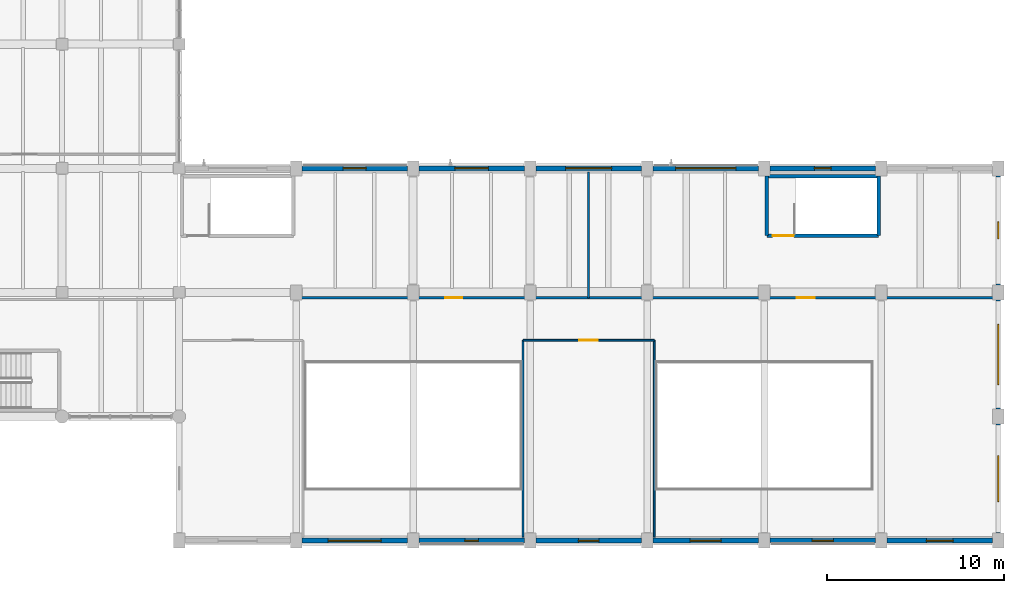
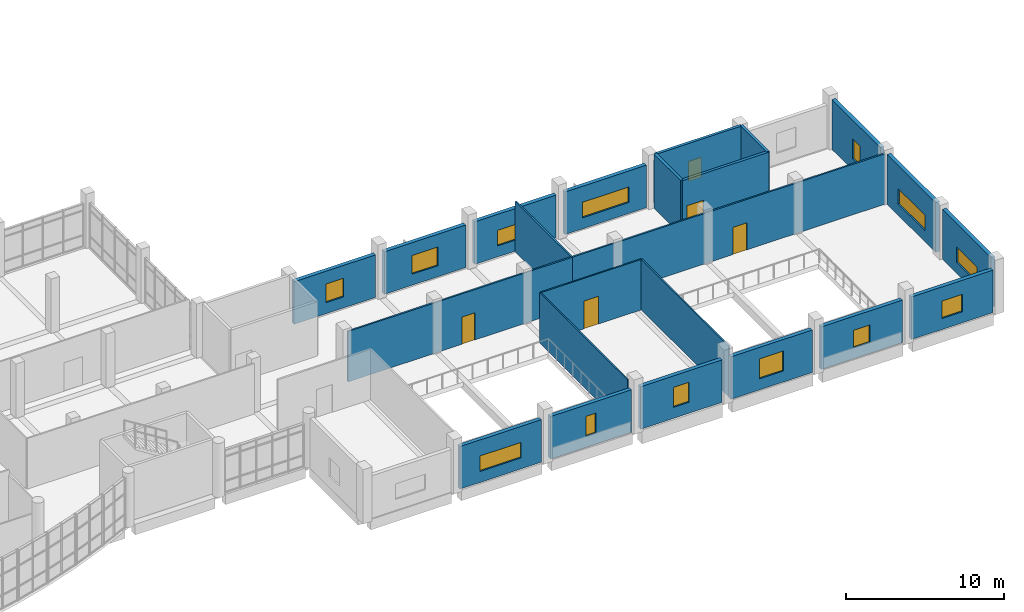
# One storey, part 51 of 68: 24 walls, 14 windows, 4 doors, 18 openings.
"""IFC4 building model written with IfcOpenShell, lengths in metres."""

from ifc_helpers import new_model, si_unit, direction, frame, frame_2d, origin, place, context, subcontext, project, spatial, rectangle, extrude, material, layer, layer_set, type_object, element, fill, save


model = new_model("IFC4")

# Units and contexts
model_context = context("Model", 3, precision=1e-05, world=origin(), true_north=direction((0.0, 1.0)))
body_context = subcontext(model_context, "Body", "Model", "MODEL_VIEW")
ifc_project = project(units=[si_unit("LENGTHUNIT", "METRE"), si_unit("AREAUNIT", "SQUARE_METRE"), si_unit("VOLUMEUNIT", "CUBIC_METRE"), si_unit("PLANEANGLEUNIT", "RADIAN"), si_unit("MASSUNIT", "GRAM", prefix="KILO")], contexts=[model_context])

# Site, building, storey
site_placement = place(None, origin())
site = spatial("IfcSite", under=ifc_project, at=site_placement, CompositionType="ELEMENT")
building_placement = place(site_placement, origin())
building = spatial("IfcBuilding", under=site, at=building_placement, Name="Ciguamira Faculty of Natural Sciences", CompositionType="ELEMENT")
storey_placement = place(building_placement, frame((0.0, 0.0, 4.199951171875)))
storey = spatial("IfcBuildingStorey", under=building, at=storey_placement, Name="L01", CompositionType="ELEMENT", Elevation=4.199951171875)

# Wall, opening, window
ifc_material_1 = material(Name="Precast concrete C40/50", Category="concrete")
ifc_layer_1 = layer(ifc_material_1, 0.280029296875, Name="Precast concrete C40/50")
ifc_layer_set_1 = layer_set([ifc_layer_1], Name="Precast concrete C40/50")
wall_type_1 = type_object("IfcWallType", Name="ExtWall_EW-01_280", PredefinedType="SOLIDWALL", material=ifc_layer_set_1)
wall_1_placement = place(storey_placement, frame((130.22509765625, 3.0, 0.0), z_axis=(0.0, 0.0, 1.0), x_axis=(1.0, 0.0, 0.0)))
wall_1 = element("IfcWall", 1, at=wall_1_placement, inside=storey, type_object=wall_type_1, Name="L01 exterior wall 0143", PredefinedType="SOLIDWALL", context=body_context, shape_type="SweptSolid", body=[
    extrude(rectangle(XDim=5.949951171875, YDim=0.280029296875, at=frame_2d((2.97509765625, 0.0))), origin(), (0.0, 0.0, 1.0), 3.28515625),
])
opening_1_placement = place(wall_1_placement, frame((1.47509765625, 0.0, 0.85009765625)))
opening_1 = element("IfcOpeningElement", 2, at=opening_1_placement, cuts=wall_1, Name="Opening WT-33", PredefinedType="OPENING", context=body_context, shape_type="SweptSolid", body=[
    extrude(rectangle(XDim=3.0, YDim=1.199951171875, at=frame_2d((1.5, 0.60009765625))), frame((0.0, 0.14990234375, 0.0), z_axis=(0.0, -1.0, 0.0), x_axis=(1.0, 0.0, 0.0)), (0.0, 0.0, 1.0), 0.300048828125),
])
ifc_material_2 = material(Name="Hurricane laminated solar glass", Category="glass")
window_type_1 = type_object("IfcWindowType", Name="Window_WT-33_3000x1200", PartitioningType="DOUBLE_PANEL_VERTICAL", PredefinedType="WINDOW", material=ifc_material_2)
window_1_placement = place(opening_1_placement, origin())
window_1 = element("IfcWindow", 3, at=window_1_placement, inside=storey, type_object=window_type_1, Name="L01 facade window 0059", OverallHeight=1.199951171875, OverallWidth=3.0, PartitioningType="SINGLE_PANEL", PredefinedType="WINDOW", context=body_context, shape_type="SweptSolid", body=[
    extrude(rectangle(XDim=3.0, YDim=1.199951171875, at=frame_2d((1.5, 0.60009765625))), frame((0.0, 0.030029296875, 0.0), z_axis=(0.0, -1.0, 0.0), x_axis=(1.0, 0.0, 0.0)), (0.0, 0.0, 1.0), 0.06005859375),
])
fill(opening_1, window_1)

wall_2_placement = place(storey_placement, frame((136.824951171875, 3.0, 0.0), z_axis=(0.0, 0.0, 1.0), x_axis=(1.0, 0.0, 0.0)))
wall_2 = element("IfcWall", 4, at=wall_2_placement, inside=storey, type_object=wall_type_1, Name="L01 exterior wall 0144", PredefinedType="SOLIDWALL", context=body_context, shape_type="SweptSolid", body=[
    extrude(rectangle(XDim=5.949951171875, YDim=0.280029296875, at=frame_2d((2.97509765625, 0.0))), origin(), (0.0, 0.0, 1.0), 3.28515625),
])
opening_2_placement = place(wall_2_placement, frame((2.60009765625, 0.0, 0.85009765625)))
opening_2 = element("IfcOpeningElement", 5, at=opening_2_placement, cuts=wall_2, Name="Opening WT-35", PredefinedType="OPENING", context=body_context, shape_type="SweptSolid", body=[
    extrude(rectangle(XDim=0.75, YDim=1.550048828125, at=frame_2d((0.375, 0.77490234375))), frame((0.0, 0.14990234375, 0.0), z_axis=(0.0, -1.0, 0.0), x_axis=(1.0, 0.0, 0.0)), (0.0, 0.0, 1.0), 0.300048828125),
])
window_type_2 = type_object("IfcWindowType", Name="Window_WT-35_750x1550", PartitioningType="DOUBLE_PANEL_VERTICAL", PredefinedType="WINDOW", material=ifc_material_2)
window_2_placement = place(opening_2_placement, origin())
window_2 = element("IfcWindow", 6, at=window_2_placement, inside=storey, type_object=window_type_2, Name="L01 facade window 0060", OverallHeight=1.550048828125, OverallWidth=0.75, PartitioningType="SINGLE_PANEL", PredefinedType="WINDOW", context=body_context, shape_type="SweptSolid", body=[
    extrude(rectangle(XDim=0.75, YDim=1.550048828125, at=frame_2d((0.375, 0.77490234375))), frame((0.0, 0.030029296875, 0.0), z_axis=(0.0, -1.0, 0.0), x_axis=(1.0, 0.0, 0.0)), (0.0, 0.0, 1.0), 0.06005859375),
])
fill(opening_2, window_2)

wall_3_placement = place(storey_placement, frame((143.425048828125, 3.0, 0.0), z_axis=(0.0, 0.0, 1.0), x_axis=(1.0, 0.0, 0.0)))
wall_3 = element("IfcWall", 7, at=wall_3_placement, inside=storey, type_object=wall_type_1, Name="L01 exterior wall 0145", PredefinedType="SOLIDWALL", context=body_context, shape_type="SweptSolid", body=[
    extrude(rectangle(XDim=5.949951171875, YDim=0.280029296875, at=frame_2d((2.97509765625, 0.0))), origin(), (0.0, 0.0, 1.0), 3.28515625),
])
opening_3_placement = place(wall_3_placement, frame((2.39990234375, 0.0, 0.85009765625)))
opening_3 = element("IfcOpeningElement", 8, at=opening_3_placement, cuts=wall_3, Name="Opening WT-37", PredefinedType="OPENING", context=body_context, shape_type="SweptSolid", body=[
    extrude(rectangle(XDim=1.14990234375, YDim=1.550048828125, at=frame_2d((0.574951171875, 0.77490234375))), frame((0.0, 0.14990234375, 0.0), z_axis=(0.0, -1.0, 0.0), x_axis=(1.0, 0.0, 0.0)), (0.0, 0.0, 1.0), 0.300048828125),
])
window_type_3 = type_object("IfcWindowType", Name="Window_WT-37_1150x1550", PartitioningType="DOUBLE_PANEL_VERTICAL", PredefinedType="WINDOW", material=ifc_material_2)
window_3_placement = place(opening_3_placement, origin())
window_3 = element("IfcWindow", 9, at=window_3_placement, inside=storey, type_object=window_type_3, Name="L01 facade window 0061", OverallHeight=1.550048828125, OverallWidth=1.14990234375, PartitioningType="SINGLE_PANEL", PredefinedType="WINDOW", context=body_context, shape_type="SweptSolid", body=[
    extrude(rectangle(XDim=1.14990234375, YDim=1.550048828125, at=frame_2d((0.574951171875, 0.77490234375))), frame((0.0, 0.030029296875, 0.0), z_axis=(0.0, -1.0, 0.0), x_axis=(1.0, 0.0, 0.0)), (0.0, 0.0, 1.0), 0.06005859375),
])
fill(opening_3, window_3)

wall_4_placement = place(storey_placement, frame((150.02490234375, 3.0, 0.0), z_axis=(0.0, 0.0, 1.0), x_axis=(1.0, 0.0, 0.0)))
wall_4 = element("IfcWall", 10, at=wall_4_placement, inside=storey, type_object=wall_type_1, Name="L01 exterior wall 0146", PredefinedType="SOLIDWALL", context=body_context, shape_type="SweptSolid", body=[
    extrude(rectangle(XDim=5.9501953125, YDim=0.280029296875, at=frame_2d((2.97509765625, 0.0))), origin(), (0.0, 0.0, 1.0), 3.28515625),
])
opening_4_placement = place(wall_4_placement, frame((2.10009765625, 0.0, 0.85009765625)))
opening_4 = element("IfcOpeningElement", 11, at=opening_4_placement, cuts=wall_4, Name="Opening WT-39", PredefinedType="OPENING", context=body_context, shape_type="SweptSolid", body=[
    extrude(rectangle(XDim=1.75, YDim=1.550048828125, at=frame_2d((0.875, 0.77490234375))), frame((0.0, 0.14990234375, 0.0), z_axis=(0.0, -1.0, 0.0), x_axis=(1.0, 0.0, 0.0)), (0.0, 0.0, 1.0), 0.300048828125),
])
window_type_4 = type_object("IfcWindowType", Name="Window_WT-39_1750x1550", PartitioningType="DOUBLE_PANEL_VERTICAL", PredefinedType="WINDOW", material=ifc_material_2)
window_4_placement = place(opening_4_placement, origin())
window_4 = element("IfcWindow", 12, at=window_4_placement, inside=storey, type_object=window_type_4, Name="L01 facade window 0062", OverallHeight=1.550048828125, OverallWidth=1.75, PartitioningType="SINGLE_PANEL", PredefinedType="WINDOW", context=body_context, shape_type="SweptSolid", body=[
    extrude(rectangle(XDim=1.75, YDim=1.550048828125, at=frame_2d((0.875, 0.77490234375))), frame((0.0, 0.030029296875, 0.0), z_axis=(0.0, -1.0, 0.0), x_axis=(1.0, 0.0, 0.0)), (0.0, 0.0, 1.0), 0.06005859375),
])
fill(opening_4, window_4)

wall_5_placement = place(storey_placement, frame((156.625, 3.0, 0.0), z_axis=(0.0, 0.0, 1.0), x_axis=(1.0, 0.0, 0.0)))
wall_5 = element("IfcWall", 13, at=wall_5_placement, inside=storey, type_object=wall_type_1, Name="L01 exterior wall 0147", PredefinedType="SOLIDWALL", context=body_context, shape_type="SweptSolid", body=[
    extrude(rectangle(XDim=5.949951171875, YDim=0.280029296875, at=frame_2d((2.97509765625, 0.0))), origin(), (0.0, 0.0, 1.0), 3.28515625),
])
opening_5_placement = place(wall_5_placement, frame((2.375, 0.0, 0.85009765625)))
opening_5 = element("IfcOpeningElement", 14, at=opening_5_placement, cuts=wall_5, Name="Opening WT-01", PredefinedType="OPENING", context=body_context, shape_type="SweptSolid", body=[
    extrude(rectangle(XDim=1.199951171875, YDim=1.35009765625, at=frame_2d((0.60009765625, 0.675048828125))), frame((0.0, 0.14990234375, 0.0), z_axis=(0.0, -1.0, 0.0), x_axis=(1.0, 0.0, 0.0)), (0.0, 0.0, 1.0), 0.300048828125),
])
window_type_5 = type_object("IfcWindowType", Name="Window_WT-01_1200x1350", PartitioningType="DOUBLE_PANEL_VERTICAL", PredefinedType="WINDOW", material=ifc_material_2)
window_5_placement = place(opening_5_placement, origin())
window_5 = element("IfcWindow", 15, at=window_5_placement, inside=storey, type_object=window_type_5, Name="L01 facade window 0063", OverallHeight=1.35009765625, OverallWidth=1.199951171875, PartitioningType="SINGLE_PANEL", PredefinedType="WINDOW", context=body_context, shape_type="SweptSolid", body=[
    extrude(rectangle(XDim=1.199951171875, YDim=1.35009765625, at=frame_2d((0.60009765625, 0.675048828125))), frame((0.0, 0.030029296875, 0.0), z_axis=(0.0, -1.0, 0.0), x_axis=(1.0, 0.0, 0.0)), (0.0, 0.0, 1.0), 0.06005859375),
])
fill(opening_5, window_5)

wall_6_placement = place(storey_placement, frame((163.22509765625, 3.0, 0.0), z_axis=(0.0, 0.0, 1.0), x_axis=(1.0, 0.0, 0.0)))
wall_6 = element("IfcWall", 16, at=wall_6_placement, inside=storey, type_object=wall_type_1, Name="L01 exterior wall 0148", PredefinedType="SOLIDWALL", context=body_context, shape_type="SweptSolid", body=[
    extrude(rectangle(XDim=5.949951171875, YDim=0.280029296875, at=frame_2d((2.97509765625, 0.0))), origin(), (0.0, 0.0, 1.0), 3.28515625),
])
opening_6_placement = place(wall_6_placement, frame((2.22509765625, 0.0, 0.85009765625)))
opening_6 = element("IfcOpeningElement", 17, at=opening_6_placement, cuts=wall_6, Name="Opening WT-03", PredefinedType="OPENING", context=body_context, shape_type="SweptSolid", body=[
    extrude(rectangle(XDim=1.5, YDim=1.35009765625, at=frame_2d((0.75, 0.675048828125))), frame((0.0, 0.14990234375, 0.0), z_axis=(0.0, -1.0, 0.0), x_axis=(1.0, 0.0, 0.0)), (0.0, 0.0, 1.0), 0.300048828125),
])
window_type_6 = type_object("IfcWindowType", Name="Window_WT-03_1500x1350", PartitioningType="DOUBLE_PANEL_VERTICAL", PredefinedType="WINDOW", material=ifc_material_2)
window_6_placement = place(opening_6_placement, origin())
window_6 = element("IfcWindow", 18, at=window_6_placement, inside=storey, type_object=window_type_6, Name="L01 facade window 0064", OverallHeight=1.35009765625, OverallWidth=1.5, PartitioningType="SINGLE_PANEL", PredefinedType="WINDOW", context=body_context, shape_type="SweptSolid", body=[
    extrude(rectangle(XDim=1.5, YDim=1.35009765625, at=frame_2d((0.75, 0.675048828125))), frame((0.0, 0.030029296875, 0.0), z_axis=(0.0, -1.0, 0.0), x_axis=(1.0, 0.0, 0.0)), (0.0, 0.0, 1.0), 0.06005859375),
])
fill(opening_6, window_6)

wall_7_placement = place(storey_placement, frame((130.22509765625, 24.0, 0.0), z_axis=(0.0, 0.0, 1.0), x_axis=(1.0, 0.0, 0.0)))
wall_7 = element("IfcWall", 19, at=wall_7_placement, inside=storey, type_object=wall_type_1, Name="L01 exterior wall 0153", PredefinedType="SOLIDWALL", context=body_context, shape_type="SweptSolid", body=[
    extrude(rectangle(XDim=5.949951171875, YDim=0.280029296875, at=frame_2d((2.97509765625, 0.0))), origin(), (0.0, 0.0, 1.0), 3.28515625),
])
opening_7_placement = place(wall_7_placement, frame((2.324951171875, 0.0, 0.85009765625)))
opening_7 = element("IfcOpeningElement", 20, at=opening_7_placement, cuts=wall_7, Name="Opening WT-28", PredefinedType="OPENING", context=body_context, shape_type="SweptSolid", body=[
    extrude(rectangle(XDim=1.300048828125, YDim=1.449951171875, at=frame_2d((0.64990234375, 0.72509765625))), frame((0.0, 0.14990234375, 0.0), z_axis=(0.0, -1.0, 0.0), x_axis=(1.0, 0.0, 0.0)), (0.0, 0.0, 1.0), 0.300048828125),
])
window_type_7 = type_object("IfcWindowType", Name="Window_WT-28_1300x1450", PartitioningType="DOUBLE_PANEL_VERTICAL", PredefinedType="WINDOW", material=ifc_material_2)
window_7_placement = place(opening_7_placement, origin())
window_7 = element("IfcWindow", 21, at=window_7_placement, inside=storey, type_object=window_type_7, Name="L01 facade window 0069", OverallHeight=1.449951171875, OverallWidth=1.300048828125, PartitioningType="SINGLE_PANEL", PredefinedType="WINDOW", context=body_context, shape_type="SweptSolid", body=[
    extrude(rectangle(XDim=1.300048828125, YDim=1.449951171875, at=frame_2d((0.64990234375, 0.72509765625))), frame((0.0, 0.030029296875, 0.0), z_axis=(0.0, -1.0, 0.0), x_axis=(1.0, 0.0, 0.0)), (0.0, 0.0, 1.0), 0.06005859375),
])
fill(opening_7, window_7)

wall_8_placement = place(storey_placement, frame((136.824951171875, 24.0, 0.0), z_axis=(0.0, 0.0, 1.0), x_axis=(1.0, 0.0, 0.0)))
wall_8 = element("IfcWall", 22, at=wall_8_placement, inside=storey, type_object=wall_type_1, Name="L01 exterior wall 0154", PredefinedType="SOLIDWALL", context=body_context, shape_type="SweptSolid", body=[
    extrude(rectangle(XDim=5.949951171875, YDim=0.280029296875, at=frame_2d((2.97509765625, 0.0))), origin(), (0.0, 0.0, 1.0), 3.28515625),
])
opening_8_placement = place(wall_8_placement, frame((2.02490234375, 0.0, 0.85009765625)))
opening_8 = element("IfcOpeningElement", 23, at=opening_8_placement, cuts=wall_8, Name="Opening WT-30", PredefinedType="OPENING", context=body_context, shape_type="SweptSolid", body=[
    extrude(rectangle(XDim=1.89990234375, YDim=1.449951171875, at=frame_2d((0.949951171875, 0.72509765625))), frame((0.0, 0.14990234375, 0.0), z_axis=(0.0, -1.0, 0.0), x_axis=(1.0, 0.0, 0.0)), (0.0, 0.0, 1.0), 0.300048828125),
])
window_type_8 = type_object("IfcWindowType", Name="Window_WT-30_1900x1450", PartitioningType="DOUBLE_PANEL_VERTICAL", PredefinedType="WINDOW", material=ifc_material_2)
window_8_placement = place(opening_8_placement, origin())
window_8 = element("IfcWindow", 24, at=window_8_placement, inside=storey, type_object=window_type_8, Name="L01 facade window 0070", OverallHeight=1.449951171875, OverallWidth=1.89990234375, PartitioningType="SINGLE_PANEL", PredefinedType="WINDOW", context=body_context, shape_type="SweptSolid", body=[
    extrude(rectangle(XDim=1.89990234375, YDim=1.449951171875, at=frame_2d((0.949951171875, 0.72509765625))), frame((0.0, 0.030029296875, 0.0), z_axis=(0.0, -1.0, 0.0), x_axis=(1.0, 0.0, 0.0)), (0.0, 0.0, 1.0), 0.06005859375),
])
fill(opening_8, window_8)

wall_9_placement = place(storey_placement, frame((143.425048828125, 24.0, 0.0), z_axis=(0.0, 0.0, 1.0), x_axis=(1.0, 0.0, 0.0)))
wall_9 = element("IfcWall", 25, at=wall_9_placement, inside=storey, type_object=wall_type_1, Name="L01 exterior wall 0155", PredefinedType="SOLIDWALL", context=body_context, shape_type="SweptSolid", body=[
    extrude(rectangle(XDim=5.949951171875, YDim=0.280029296875, at=frame_2d((2.97509765625, 0.0))), origin(), (0.0, 0.0, 1.0), 3.28515625),
])
opening_9_placement = place(wall_9_placement, frame((1.675048828125, 0.0, 0.85009765625)))
opening_9 = element("IfcOpeningElement", 26, at=opening_9_placement, cuts=wall_9, Name="Opening WT-32", PredefinedType="OPENING", context=body_context, shape_type="SweptSolid", body=[
    extrude(rectangle(XDim=2.60009765625, YDim=1.199951171875, at=frame_2d((1.300048828125, 0.60009765625))), frame((0.0, 0.14990234375, 0.0), z_axis=(0.0, -1.0, 0.0), x_axis=(1.0, 0.0, 0.0)), (0.0, 0.0, 1.0), 0.300048828125),
])
window_type_9 = type_object("IfcWindowType", Name="Window_WT-32_2600x1200", PartitioningType="DOUBLE_PANEL_VERTICAL", PredefinedType="WINDOW", material=ifc_material_2)
window_9_placement = place(opening_9_placement, origin())
window_9 = element("IfcWindow", 27, at=window_9_placement, inside=storey, type_object=window_type_9, Name="L01 facade window 0071", OverallHeight=1.199951171875, OverallWidth=2.60009765625, PartitioningType="SINGLE_PANEL", PredefinedType="WINDOW", context=body_context, shape_type="SweptSolid", body=[
    extrude(rectangle(XDim=2.60009765625, YDim=1.199951171875, at=frame_2d((1.300048828125, 0.60009765625))), frame((0.0, 0.030029296875, 0.0), z_axis=(0.0, -1.0, 0.0), x_axis=(1.0, 0.0, 0.0)), (0.0, 0.0, 1.0), 0.06005859375),
])
fill(opening_9, window_9)

wall_10_placement = place(storey_placement, frame((150.02490234375, 24.0, 0.0), z_axis=(0.0, 0.0, 1.0), x_axis=(1.0, 0.0, 0.0)))
wall_10 = element("IfcWall", 28, at=wall_10_placement, inside=storey, type_object=wall_type_1, Name="L01 exterior wall 0156", PredefinedType="SOLIDWALL", context=body_context, shape_type="SweptSolid", body=[
    extrude(rectangle(XDim=5.9501953125, YDim=0.280029296875, at=frame_2d((2.97509765625, 0.0))), origin(), (0.0, 0.0, 1.0), 3.28515625),
])
opening_10_placement = place(wall_10_placement, frame((1.27490234375, 0.0, 0.85009765625)))
opening_10 = element("IfcOpeningElement", 29, at=opening_10_placement, cuts=wall_10, Name="Opening WT-34", PredefinedType="OPENING", context=body_context, shape_type="SweptSolid", body=[
    extrude(rectangle(XDim=3.39990234375, YDim=1.199951171875, at=frame_2d((1.699951171875, 0.60009765625))), frame((0.0, 0.14990234375, 0.0), z_axis=(0.0, -1.0, 0.0), x_axis=(1.0, 0.0, 0.0)), (0.0, 0.0, 1.0), 0.300048828125),
])
window_type_10 = type_object("IfcWindowType", Name="Window_WT-34_3400x1200", PartitioningType="DOUBLE_PANEL_VERTICAL", PredefinedType="WINDOW", material=ifc_material_2)
window_10_placement = place(opening_10_placement, origin())
window_10 = element("IfcWindow", 30, at=window_10_placement, inside=storey, type_object=window_type_10, Name="L01 facade window 0072", OverallHeight=1.199951171875, OverallWidth=3.39990234375, PartitioningType="SINGLE_PANEL", PredefinedType="WINDOW", context=body_context, shape_type="SweptSolid", body=[
    extrude(rectangle(XDim=3.39990234375, YDim=1.199951171875, at=frame_2d((1.699951171875, 0.60009765625))), frame((0.0, 0.030029296875, 0.0), z_axis=(0.0, -1.0, 0.0), x_axis=(1.0, 0.0, 0.0)), (0.0, 0.0, 1.0), 0.06005859375),
])
fill(opening_10, window_10)

wall_11_placement = place(storey_placement, frame((156.625, 24.0, 0.0), z_axis=(0.0, 0.0, 1.0), x_axis=(1.0, 0.0, 0.0)))
wall_11 = element("IfcWall", 31, at=wall_11_placement, inside=storey, type_object=wall_type_1, Name="L01 exterior wall 0157", PredefinedType="SOLIDWALL", context=body_context, shape_type="SweptSolid", body=[
    extrude(rectangle(XDim=5.949951171875, YDim=0.280029296875, at=frame_2d((2.97509765625, 0.0))), origin(), (0.0, 0.0, 1.0), 3.28515625),
])
opening_11_placement = place(wall_11_placement, frame((2.5, 0.0, 0.85009765625)))
opening_11 = element("IfcOpeningElement", 32, at=opening_11_placement, cuts=wall_11, Name="Opening WT-36", PredefinedType="OPENING", context=body_context, shape_type="SweptSolid", body=[
    extrude(rectangle(XDim=0.949951171875, YDim=1.550048828125, at=frame_2d((0.47509765625, 0.77490234375))), frame((0.0, 0.14990234375, 0.0), z_axis=(0.0, -1.0, 0.0), x_axis=(1.0, 0.0, 0.0)), (0.0, 0.0, 1.0), 0.300048828125),
])
window_type_11 = type_object("IfcWindowType", Name="Window_WT-36_950x1550", PartitioningType="DOUBLE_PANEL_VERTICAL", PredefinedType="WINDOW", material=ifc_material_2)
window_11_placement = place(opening_11_placement, origin())
window_11 = element("IfcWindow", 33, at=window_11_placement, inside=storey, type_object=window_type_11, Name="L01 facade window 0073", OverallHeight=1.550048828125, OverallWidth=0.949951171875, PartitioningType="SINGLE_PANEL", PredefinedType="WINDOW", context=body_context, shape_type="SweptSolid", body=[
    extrude(rectangle(XDim=0.949951171875, YDim=1.550048828125, at=frame_2d((0.47509765625, 0.77490234375))), frame((0.0, 0.030029296875, 0.0), z_axis=(0.0, -1.0, 0.0), x_axis=(1.0, 0.0, 0.0)), (0.0, 0.0, 1.0), 0.06005859375),
])
fill(opening_11, window_11)

wall_12_placement = place(storey_placement, frame((169.5, 3.425048828125, 0.0), z_axis=(0.0, 0.0, 1.0), x_axis=(0.0, 1.0, 0.0)))
wall_12 = element("IfcWall", 34, at=wall_12_placement, inside=storey, type_object=wall_type_1, Name="L01 exterior wall 0204", PredefinedType="SOLIDWALL", context=body_context, shape_type="SweptSolid", body=[
    extrude(rectangle(XDim=6.14990234375, YDim=0.280029296875, at=frame_2d((3.074951171875, 0.0))), origin(), (0.0, 0.0, 1.0), 3.85009765625),
])
opening_12_placement = place(wall_12_placement, frame((1.77490234375, 0.0, 0.85009765625)))
opening_12 = element("IfcOpeningElement", 35, at=opening_12_placement, cuts=wall_12, Name="Opening WT-32", PredefinedType="OPENING", context=body_context, shape_type="SweptSolid", body=[
    extrude(rectangle(XDim=2.60009765625, YDim=1.199951171875, at=frame_2d((1.300048828125, 0.60009765625))), frame((0.0, 0.14990234375, 0.0), z_axis=(0.0, -1.0, 0.0), x_axis=(1.0, 0.0, 0.0)), (0.0, 0.0, 1.0), 0.300048828125),
])
window_12_placement = place(opening_12_placement, origin())
window_12 = element("IfcWindow", 36, at=window_12_placement, inside=storey, type_object=window_type_9, Name="L01 facade window 0119", OverallHeight=1.199951171875, OverallWidth=2.60009765625, PartitioningType="SINGLE_PANEL", PredefinedType="WINDOW", context=body_context, shape_type="SweptSolid", body=[
    extrude(rectangle(XDim=2.60009765625, YDim=1.199951171875, at=frame_2d((1.300048828125, 0.60009765625))), frame((0.0, 0.030029296875, 0.0), z_axis=(0.0, -1.0, 0.0), x_axis=(1.0, 0.0, 0.0)), (0.0, 0.0, 1.0), 0.06005859375),
])
fill(opening_12, window_12)

wall_13_placement = place(storey_placement, frame((169.5, 10.425048828125, 0.0), z_axis=(0.0, 0.0, 1.0), x_axis=(0.0, 1.0, 0.0)))
wall_13 = element("IfcWall", 37, at=wall_13_placement, inside=storey, type_object=wall_type_1, Name="L01 exterior wall 0205", PredefinedType="SOLIDWALL", context=body_context, shape_type="SweptSolid", body=[
    extrude(rectangle(XDim=6.14990234375, YDim=0.280029296875, at=frame_2d((3.074951171875, 0.0))), origin(), (0.0, 0.0, 1.0), 3.85009765625),
])
opening_13_placement = place(wall_13_placement, frame((1.375, 0.0, 0.85009765625)))
opening_13 = element("IfcOpeningElement", 38, at=opening_13_placement, cuts=wall_13, Name="Opening WT-34", PredefinedType="OPENING", context=body_context, shape_type="SweptSolid", body=[
    extrude(rectangle(XDim=3.39990234375, YDim=1.199951171875, at=frame_2d((1.699951171875, 0.60009765625))), frame((0.0, 0.14990234375, 0.0), z_axis=(0.0, -1.0, 0.0), x_axis=(1.0, 0.0, 0.0)), (0.0, 0.0, 1.0), 0.300048828125),
])
window_13_placement = place(opening_13_placement, origin())
window_13 = element("IfcWindow", 39, at=window_13_placement, inside=storey, type_object=window_type_10, Name="L01 facade window 0120", OverallHeight=1.199951171875, OverallWidth=3.39990234375, PartitioningType="SINGLE_PANEL", PredefinedType="WINDOW", context=body_context, shape_type="SweptSolid", body=[
    extrude(rectangle(XDim=3.39990234375, YDim=1.199951171875, at=frame_2d((1.699951171875, 0.60009765625))), frame((0.0, 0.030029296875, 0.0), z_axis=(0.0, -1.0, 0.0), x_axis=(1.0, 0.0, 0.0)), (0.0, 0.0, 1.0), 0.06005859375),
])
fill(opening_13, window_13)

wall_14_placement = place(storey_placement, frame((169.5, 17.425048828125, 0.0), z_axis=(0.0, 0.0, 1.0), x_axis=(0.0, 1.0, 0.0)))
wall_14 = element("IfcWall", 40, at=wall_14_placement, inside=storey, type_object=wall_type_1, Name="L01 exterior wall 0206", PredefinedType="SOLIDWALL", context=body_context, shape_type="SweptSolid", body=[
    extrude(rectangle(XDim=6.14990234375, YDim=0.280029296875, at=frame_2d((3.074951171875, 0.0))), origin(), (0.0, 0.0, 1.0), 3.85009765625),
])
opening_14_placement = place(wall_14_placement, frame((2.60009765625, 0.0, 0.85009765625)))
opening_14 = element("IfcOpeningElement", 41, at=opening_14_placement, cuts=wall_14, Name="Opening WT-36", PredefinedType="OPENING", context=body_context, shape_type="SweptSolid", body=[
    extrude(rectangle(XDim=0.949951171875, YDim=1.550048828125, at=frame_2d((0.47509765625, 0.77490234375))), frame((0.0, 0.14990234375, 0.0), z_axis=(0.0, -1.0, 0.0), x_axis=(1.0, 0.0, 0.0)), (0.0, 0.0, 1.0), 0.300048828125),
])
window_14_placement = place(opening_14_placement, origin())
window_14 = element("IfcWindow", 42, at=window_14_placement, inside=storey, type_object=window_type_11, Name="L01 facade window 0121", OverallHeight=1.550048828125, OverallWidth=0.949951171875, PartitioningType="SINGLE_PANEL", PredefinedType="WINDOW", context=body_context, shape_type="SweptSolid", body=[
    extrude(rectangle(XDim=0.949951171875, YDim=1.550048828125, at=frame_2d((0.47509765625, 0.77490234375))), frame((0.0, 0.030029296875, 0.0), z_axis=(0.0, -1.0, 0.0), x_axis=(1.0, 0.0, 0.0)), (0.0, 0.0, 1.0), 0.06005859375),
])
fill(opening_14, window_14)

# Wall, opening, door
ifc_material_3 = material(Name="Concrete C40/50", Category="concrete")
ifc_layer_2 = layer(ifc_material_3, 0.199951171875, Name="Concrete C40/50")
ifc_layer_set_2 = layer_set([ifc_layer_2], Name="Concrete C40/50")
wall_type_2 = type_object("IfcWallType", Name="IntWall_CW-S20_200", PredefinedType="SHEAR", material=ifc_layer_set_2)
wall_15_placement = place(storey_placement, frame((156.449951171875, 20.199951171875, 0.0), z_axis=(0.0, 0.0, 1.0), x_axis=(1.0, 0.0, 0.0)))
wall_15 = element("IfcWall", 43, at=wall_15_placement, inside=storey, type_object=wall_type_2, Name="L01 ST-L2 core shear wall south", PredefinedType="SHEAR", context=body_context, shape_type="SweptSolid", body=[
    extrude(rectangle(XDim=6.300048828125, YDim=0.199951171875, at=frame_2d((3.14990234375, 0.0))), origin(), (0.0, 0.0, 1.0), 4.199951171875),
])
opening_15_placement = place(wall_15_placement, frame((0.320068359375, 0.0, 0.0)))
opening_15 = element("IfcOpeningElement", 44, at=opening_15_placement, cuts=wall_15, Name="Opening ID-14", PredefinedType="OPENING", context=body_context, shape_type="SweptSolid", body=[
    extrude(rectangle(XDim=1.199951171875, YDim=2.14990234375, at=frame_2d((0.60009765625, 1.074951171875))), frame((0.0, 0.10986328125, 0.0), z_axis=(0.0, -1.0, 0.0), x_axis=(1.0, 0.0, 0.0)), (0.0, 0.0, 1.0), 0.219970703125),
])
ifc_material_4 = material(Name="Protected exit stair fire door")
door_type_1 = type_object("IfcDoorType", Name="IntDoor_ID-14_1200x2150", OperationType="NOTDEFINED", PredefinedType="DOOR", material=ifc_material_4)
door_1_placement = place(opening_15_placement, origin())
door_1 = element("IfcDoor", 45, at=door_1_placement, inside=storey, type_object=door_type_1, Name="L01 ST-L2 exit stair fire door", OperationType="SINGLE_SWING_LEFT", OverallHeight=2.14990234375, OverallWidth=1.199951171875, PredefinedType="DOOR", context=body_context, shape_type="SweptSolid", body=[
    extrude(rectangle(XDim=1.199951171875, YDim=2.14990234375, at=frame_2d((0.60009765625, 1.074951171875))), frame((0.0, 0.02490234375, 0.0), z_axis=(0.0, -1.0, 0.0), x_axis=(1.0, 0.0, 0.0)), (0.0, 0.0, 1.0), 0.050048828125),
])
fill(opening_15, door_1)

# Walls
wall_16_placement = place(storey_placement, frame((156.449951171875, 23.56005859375, 0.0), z_axis=(0.0, 0.0, 1.0), x_axis=(1.0, 0.0, 0.0)))
element("IfcWall", 46, at=wall_16_placement, inside=storey, type_object=wall_type_2, Name="L01 ST-L2 core shear wall north", PredefinedType="SHEAR", context=body_context, shape_type="SweptSolid", body=[
    extrude(rectangle(XDim=6.300048828125, YDim=0.199951171875, at=frame_2d((3.14990234375, 0.0))), origin(), (0.0, 0.0, 1.0), 4.199951171875),
])
for number, where, z_axis, x_axis, name in (
    (47, (156.449951171875, 20.199951171875, 0.0), (0.0, 0.0, 1.0), (0.0, 1.0, 0.0), "L01 ST-L2 core shear wall west"),
    (48, (162.75, 20.199951171875, 0.0), (0.0, 0.0, 1.0), (0.0, 1.0, 0.0), "L01 ST-L2 core shear wall east"),
):
    element("IfcWall", number, at=place(storey_placement, frame(where, z_axis=z_axis, x_axis=x_axis)), inside=storey, type_object=wall_type_2, Name=name, PredefinedType="SHEAR", context=body_context, shape_type="SweptSolid", body=[
        extrude(rectangle(XDim=3.360107421875, YDim=0.199951171875, at=frame_2d((1.68017578125, 0.0))), origin(), (0.0, 0.0, 1.0), 4.199951171875),
    ])

# Wall, opening, door
ifc_material_5 = material(Name="Fire-rated gypsum partition")
ifc_layer_3 = layer(ifc_material_5, 0.10009765625, Name="Fire-rated gypsum partition")
ifc_layer_set_3 = layer_set([ifc_layer_3], Name="Fire-rated gypsum partition")
wall_type_3 = type_object("IfcWallType", Name="IntWall_IW-A10_100", PredefinedType="PARTITIONING", material=ifc_layer_set_3)
wall_17_placement = place(storey_placement, frame((142.699951171875, 14.300048828125, 0.0), z_axis=(0.0, 0.0, 1.0), x_axis=(1.0, 0.0, 0.0)))
wall_17 = element("IfcWall", 49, at=wall_17_placement, inside=storey, type_object=wall_type_3, Name="L01 Projection and Acoustics Studio partition north", PredefinedType="PARTITIONING", context=body_context, shape_type="SweptSolid", body=[
    extrude(rectangle(XDim=7.400146484375, YDim=0.10009765625, at=frame_2d((3.7001953125, 0.0))), origin(), (0.0, 0.0, 1.0), 3.900146484375),
])
opening_16_placement = place(wall_17_placement, frame((3.175048828125, 0.0, 0.0)))
opening_16 = element("IfcOpeningElement", 50, at=opening_16_placement, cuts=wall_17, Name="Opening ID-04", PredefinedType="OPENING", context=body_context, shape_type="SweptSolid", body=[
    extrude(rectangle(XDim=1.050048828125, YDim=2.14990234375, at=frame_2d((0.52490234375, 1.074951171875))), frame((0.0, 0.06005859375, 0.0), z_axis=(0.0, -1.0, 0.0), x_axis=(1.0, 0.0, 0.0)), (0.0, 0.0, 1.0), 0.1201171875),
])
ifc_material_6 = material(Name="Seminar acoustic single door")
door_type_2 = type_object("IfcDoorType", Name="IntDoor_ID-04_1050x2150", OperationType="NOTDEFINED", PredefinedType="DOOR", material=ifc_material_6)
door_2_placement = place(opening_16_placement, frame((1.050048828125, 0.0, 0.0), z_axis=(0.0, 0.0, 1.0), x_axis=(-1.0, 0.0, 0.0)))
door_2 = element("IfcDoor", 51, at=door_2_placement, inside=storey, type_object=door_type_2, Name="L01 Projection and Acoustics Studio door", OperationType="SINGLE_SWING_RIGHT", OverallHeight=2.14990234375, OverallWidth=1.050048828125, PredefinedType="DOOR", context=body_context, shape_type="SweptSolid", body=[
    extrude(rectangle(XDim=1.050048828125, YDim=2.14990234375, at=frame_2d((0.52490234375, 1.074951171875))), frame((0.0, 0.02490234375, 0.0), z_axis=(0.0, -1.0, 0.0), x_axis=(1.0, 0.0, 0.0)), (0.0, 0.0, 1.0), 0.050048828125),
])
fill(opening_16, door_2)

# Walls
for number, where, z_axis, x_axis, name in (
    (52, (142.699951171875, 3.199951171875, 0.0), (0.0, 0.0, 1.0), (0.0, 1.0, 0.0), "L01 Projection and Acoustics Studio partition west"),
    (53, (150.10009765625, 3.199951171875, 0.0), (0.0, 0.0, 1.0), (0.0, 1.0, 0.0), "L01 Projection and Acoustics Studio partition east"),
):
    element("IfcWall", number, at=place(storey_placement, frame(where, z_axis=z_axis, x_axis=x_axis)), inside=storey, type_object=wall_type_3, Name=name, PredefinedType="PARTITIONING", context=body_context, shape_type="SweptSolid", body=[
        extrude(rectangle(XDim=11.10009765625, YDim=0.10009765625, at=frame_2d((5.550048828125, 0.0))), origin(), (0.0, 0.0, 1.0), 3.900146484375),
    ])

# Wall, opening, door
ifc_material_7 = material(Name="Acoustic double-stud gypsum partition")
ifc_layer_4 = layer(ifc_material_7, 0.1201171875, Name="Acoustic double-stud gypsum partition")
ifc_layer_set_4 = layer_set([ifc_layer_4], Name="Acoustic double-stud gypsum partition")
wall_type_4 = type_object("IfcWallType", Name="IntWall_IW-A12_120", PredefinedType="PARTITIONING", material=ifc_layer_set_4)
wall_18_placement = place(storey_placement, frame((130.0, 16.699951171875, 0.0), z_axis=(0.0, 0.0, 1.0), x_axis=(1.0, 0.0, 0.0)))
wall_18 = element("IfcWall", 54, at=wall_18_placement, inside=storey, type_object=wall_type_4, Name="L01 Upper Balcony Lecture Auditorium C partition south", PredefinedType="PARTITIONING", context=body_context, shape_type="SweptSolid", body=[
    extrude(rectangle(XDim=16.39990234375, YDim=0.1201171875, at=frame_2d((8.199951171875, 0.0))), origin(), (0.0, 0.0, 1.0), 3.900146484375),
])
opening_17_placement = place(wall_18_placement, frame((8.324951171875, 0.0, 0.0)))
opening_17 = element("IfcOpeningElement", 55, at=opening_17_placement, cuts=wall_18, Name="Opening ID-02", PredefinedType="OPENING", context=body_context, shape_type="SweptSolid", body=[
    extrude(rectangle(XDim=0.949951171875, YDim=2.10009765625, at=frame_2d((0.47509765625, 1.050048828125))), frame((0.0, 0.070068359375, 0.0), z_axis=(0.0, -1.0, 0.0), x_axis=(1.0, 0.0, 0.0)), (0.0, 0.0, 1.0), 0.14013671875),
])
ifc_material_8 = material(Name="Accessible WC outward-clear door")
door_type_3 = type_object("IfcDoorType", Name="IntDoor_ID-02_950x2100", OperationType="NOTDEFINED", PredefinedType="DOOR", material=ifc_material_8)
door_3_placement = place(opening_17_placement, origin())
door_3 = element("IfcDoor", 56, at=door_3_placement, inside=storey, type_object=door_type_3, Name="L01 Upper Balcony Lecture Auditorium C door", OperationType="SINGLE_SWING_RIGHT", OverallHeight=2.10009765625, OverallWidth=0.949951171875, PredefinedType="DOOR", context=body_context, shape_type="SweptSolid", body=[
    extrude(rectangle(XDim=0.949951171875, YDim=2.10009765625, at=frame_2d((0.47509765625, 1.050048828125))), frame((0.0, 0.02490234375, 0.0), z_axis=(0.0, -1.0, 0.0), x_axis=(1.0, 0.0, 0.0)), (0.0, 0.0, 1.0), 0.050048828125),
])
fill(opening_17, door_3)

# Wall
wall_19_placement = place(storey_placement, frame((146.39990234375, 16.699951171875, 0.0), z_axis=(0.0, 0.0, 1.0), x_axis=(0.0, 1.0, 0.0)))
element("IfcWall", 57, at=wall_19_placement, inside=storey, type_object=wall_type_4, Name="L01 Upper Balcony Lecture Auditorium C partition east", PredefinedType="PARTITIONING", context=body_context, shape_type="SweptSolid", body=[
    extrude(rectangle(XDim=7.10009765625, YDim=0.1201171875, at=frame_2d((3.550048828125, 0.0))), origin(), (0.0, 0.0, 1.0), 3.900146484375),
])

# Wall, opening, door
wall_20_placement = place(storey_placement, frame((146.39990234375, 16.699951171875, 0.0), z_axis=(0.0, 0.0, 1.0), x_axis=(1.0, 0.0, 0.0)))
wall_20 = element("IfcWall", 58, at=wall_20_placement, inside=storey, type_object=wall_type_4, Name="L01 Shell Pavilion Colloquium Seminar partition south", PredefinedType="PARTITIONING", context=body_context, shape_type="SweptSolid", body=[
    extrude(rectangle(XDim=22.900146484375, YDim=0.1201171875, at=frame_2d((11.4501953125, 0.0))), origin(), (0.0, 0.0, 1.0), 3.900146484375),
])
opening_18_placement = place(wall_20_placement, frame((11.75, 0.0, 0.0)))
opening_18 = element("IfcOpeningElement", 59, at=opening_18_placement, cuts=wall_20, Name="Opening ID-03", PredefinedType="OPENING", context=body_context, shape_type="SweptSolid", body=[
    extrude(rectangle(XDim=1.0, YDim=2.10009765625, at=frame_2d((0.5, 1.050048828125))), frame((0.0, 0.070068359375, 0.0), z_axis=(0.0, -1.0, 0.0), x_axis=(1.0, 0.0, 0.0)), (0.0, 0.0, 1.0), 0.14013671875),
])
ifc_material_9 = material(Name="Restroom lobby fire door")
door_type_4 = type_object("IfcDoorType", Name="IntDoor_ID-03_1000x2100", OperationType="NOTDEFINED", PredefinedType="DOOR", material=ifc_material_9)
door_4_placement = place(opening_18_placement, origin())
door_4 = element("IfcDoor", 60, at=door_4_placement, inside=storey, type_object=door_type_4, Name="L01 Shell Pavilion Colloquium Seminar door", OperationType="SINGLE_SWING_LEFT", OverallHeight=2.10009765625, OverallWidth=1.0, PredefinedType="DOOR", context=body_context, shape_type="SweptSolid", body=[
    extrude(rectangle(XDim=1.0, YDim=2.10009765625, at=frame_2d((0.5, 1.050048828125))), frame((0.0, 0.02490234375, 0.0), z_axis=(0.0, -1.0, 0.0), x_axis=(1.0, 0.0, 0.0)), (0.0, 0.0, 1.0), 0.050048828125),
])
fill(opening_18, door_4)

save(model, "model.ifc")
